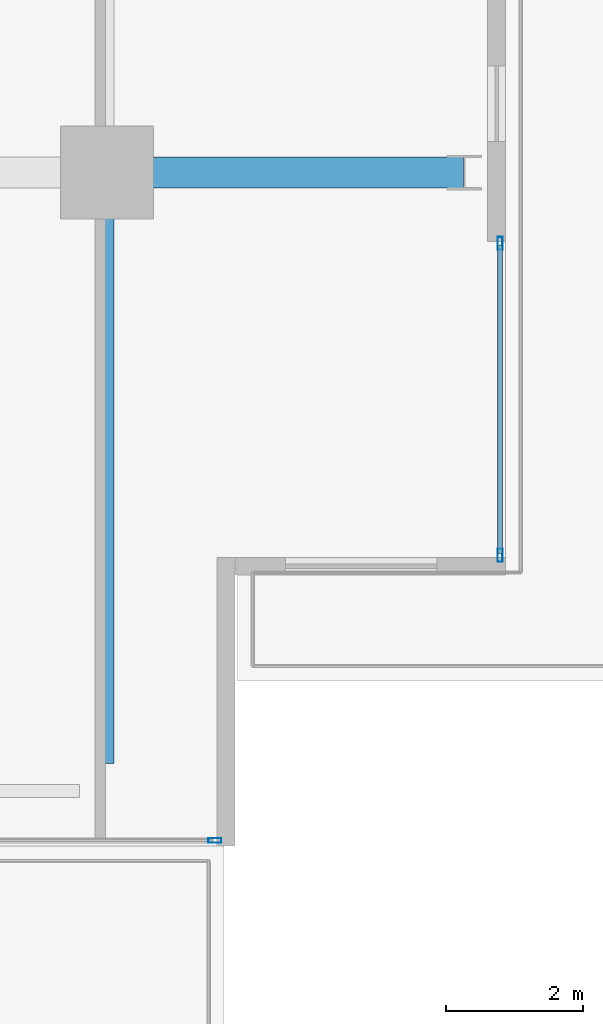
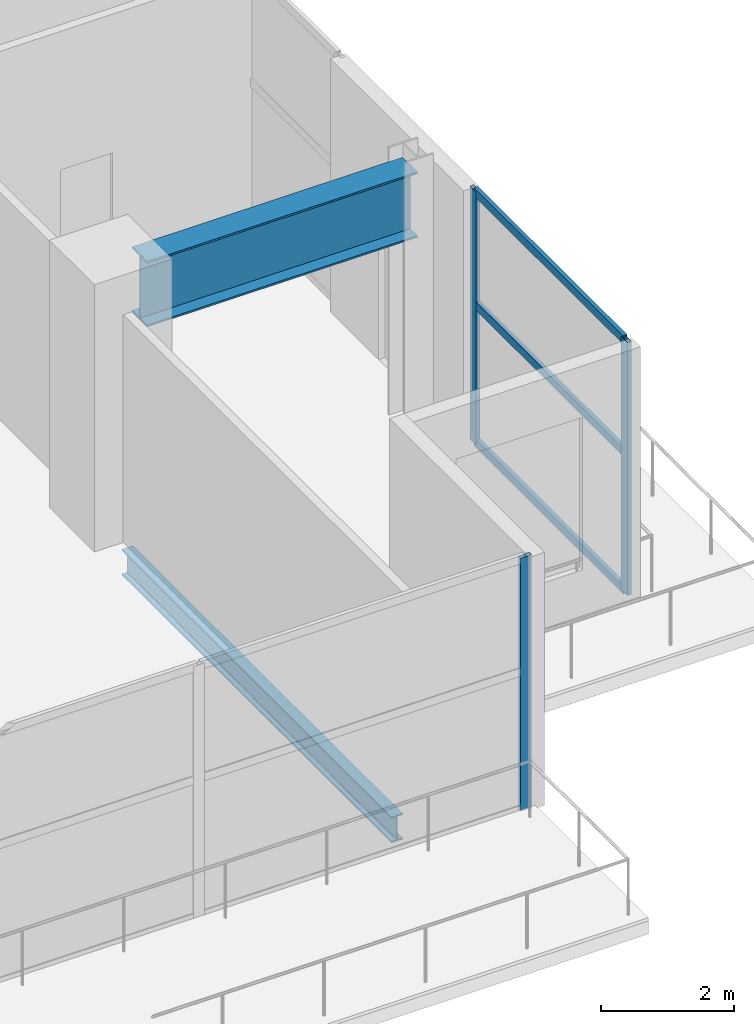
# One storey, part 10 of 22: 6 members, 2 beams, 2 elements without a shape of their own.
"""IFC4 building model written with IfcOpenShell, lengths in metres."""

import ifcopenshell
import ifcopenshell.guid

model = None  # the IFC model being written
_history = None  # IfcOwnerHistory: only IFC2X3 demands one
_inside = {}  # id of a spatial element -> (the spatial element, [elements in it])
_under = {}  # id of a project, library or spatial element -> (it, [spatial elements below it])
_declared = {}  # id of a project -> (the project, [libraries it declares])
_typed = {}  # id of a type object -> (the type object, [elements of that type])
_made_of = {}  # id of a material, layer set ... -> (it, [elements and type objects made of it])


def new_model(schema):
    """Start an empty IFC model of exactly this schema.

    Asked for "IFC4X3", IfcOpenShell would pick the latest addendum, in which some entities
    have other attributes; the version numbers below select the first issue.
    IFC2X3 requires an IfcOwnerHistory on every rooted entity: one is made here for all.
    """
    global model, _history
    if schema == "IFC4X3":
        model = ifcopenshell.file(schema_version=(4, 3, 0, 0))
    else:
        model = ifcopenshell.file(schema=schema)
    _inside.clear()
    _under.clear()
    _declared.clear()
    _typed.clear()
    _made_of.clear()
    _history = None
    if model.schema == "IFC2X3":
        org = make("IfcOrganization", Name="unknown")
        user = make(
            "IfcPersonAndOrganization",
            ThePerson=make("IfcPerson", FamilyName="unknown"),
            TheOrganization=org,
        )
        app = make(
            "IfcApplication",
            ApplicationDeveloper=org,
            Version="unknown",
            ApplicationFullName="unknown",
            ApplicationIdentifier="unknown",
        )
        _history = make(
            "IfcOwnerHistory",
            OwningUser=user,
            OwningApplication=app,
            ChangeAction="ADDED",
            CreationDate=0,
        )
    return model


def make(cls, **values):
    """One entity of the class cls with the attributes given. An attribute that is None is left unset."""
    return model.create_entity(
        cls, **{name: value for name, value in values.items() if value is not None}
    )


def rooted(cls, **values):
    """An entity with a GlobalId (a new one), such as an element, a storey or a relation."""
    return make(cls, GlobalId=ifcopenshell.guid.new(), OwnerHistory=_history, **values)


def si_unit(unit_type, name, prefix=None):
    """IfcSIUnit, for example si_unit("LENGTHUNIT", "METRE", prefix="MILLI")."""
    return make("IfcSIUnit", UnitType=unit_type, Prefix=prefix, Name=name)


def assignment(units):
    """IfcUnitAssignment: the units of a project."""
    return None if units is None else make("IfcUnitAssignment", Units=units)


def point(xyz):
    """IfcCartesianPoint."""
    return None if xyz is None else make("IfcCartesianPoint", Coordinates=xyz)


def direction(xyz):
    """IfcDirection."""
    return None if xyz is None else make("IfcDirection", DirectionRatios=xyz)


def frame(location, z_axis=None, x_axis=None):
    """IfcAxis2Placement3D, a coordinate frame: its origin and axes. An axis left out is left unset."""
    return make(
        "IfcAxis2Placement3D",
        Location=point(location),
        Axis=direction(z_axis),
        RefDirection=direction(x_axis),
    )


def frame_2d(location, x_axis=None):
    """IfcAxis2Placement2D, a coordinate frame in the plane: its origin and x axis."""
    return make(
        "IfcAxis2Placement2D", Location=point(location), RefDirection=direction(x_axis)
    )


def origin():
    """The frame at (0, 0, 0) with its axes left unset."""
    return frame((0.0, 0.0, 0.0))


def origin_2d():
    """The frame at (0, 0) in the plane with its x axis left unset."""
    return frame_2d((0.0, 0.0))


def place(relative_to, where):
    """IfcLocalPlacement: puts the frame where relative to a parent placement (None: the world)."""
    return make(
        "IfcLocalPlacement", PlacementRelTo=relative_to, RelativePlacement=where
    )


def context(
    kind, dimensions, precision=None, world=None, true_north=None, identifier=None
):
    """IfcGeometricRepresentationContext, for example the 3D "Model" context."""
    return make(
        "IfcGeometricRepresentationContext",
        ContextIdentifier=identifier,
        ContextType=kind,
        CoordinateSpaceDimension=dimensions,
        Precision=precision,
        WorldCoordinateSystem=world,
        TrueNorth=true_north,
    )


def subcontext(parent, identifier, kind, view, scale=None):
    """IfcGeometricRepresentationSubContext, for example "Body" below "Model"."""
    return make(
        "IfcGeometricRepresentationSubContext",
        ContextIdentifier=identifier,
        ContextType=kind,
        ParentContext=parent,
        TargetScale=scale,
        TargetView=view,
    )


def project(units=None, contexts=None):
    """IfcProject with its units and contexts."""
    return rooted(
        "IfcProject",
        Name="project",
        RepresentationContexts=contexts,
        UnitsInContext=assignment(units),
    )


def spatial(cls, under=None, at=None, **own):
    """A site, building, storey or space (cls), placed at a placement, below another one or the project."""
    s = rooted(cls, ObjectPlacement=at, **own)
    if under is not None:
        _under.setdefault(under.id(), (under, []))[1].append(s)
    return s


def profile(cls, at=None, kind="AREA", **sizes):
    """A parametric profile (cls). Its sizes go by their IFC names, for example OverallWidth=200.0."""
    return make(cls, ProfileType=kind, Position=at, **sizes)


def hollow_rectangle(**sizes):
    """IfcRectangleHollowProfileDef."""
    return profile("IfcRectangleHollowProfileDef", **sizes)


def i_section(**sizes):
    """IfcIShapeProfileDef."""
    return profile("IfcIShapeProfileDef", **sizes)


def extrude(swept, where, along, depth):
    """IfcExtrudedAreaSolid: the profile swept, set in the frame where, extruded along a direction by depth."""
    return make(
        "IfcExtrudedAreaSolid",
        SweptArea=swept,
        Position=where,
        ExtrudedDirection=direction(along),
        Depth=depth,
    )


def shape(context_of_items, identifier, shape_type, items):
    """IfcShapeRepresentation: the items that make up one representation, for example the "Body"."""
    return make(
        "IfcShapeRepresentation",
        ContextOfItems=context_of_items,
        RepresentationIdentifier=identifier,
        RepresentationType=shape_type,
        Items=items,
    )


def material(Name=None, Category=None):
    """IfcMaterial."""
    return make("IfcMaterial", Name=Name, Category=Category)


def layer(
    of_material, thickness, ventilated=None, Name=None, Category=None, Priority=None
):
    """IfcMaterialLayer: one layer of a wall or slab, of a material (None: an air gap)."""
    return make(
        "IfcMaterialLayer",
        Material=of_material,
        LayerThickness=thickness,
        IsVentilated=ventilated,
        Name=Name,
        Category=Category,
        Priority=Priority,
    )


def layer_set(layers, Name=None):
    """IfcMaterialLayerSet."""
    return make("IfcMaterialLayerSet", MaterialLayers=layers, LayerSetName=Name)


def material_profile(
    of_material, cross_section, Name=None, Category=None, Priority=None
):
    """IfcMaterialProfile: a cross section and its material."""
    return make(
        "IfcMaterialProfile",
        Name=Name,
        Material=of_material,
        Profile=cross_section,
        Priority=Priority,
        Category=Category,
    )


def profile_set(profiles, Name=None, composite=None):
    """IfcMaterialProfileSet."""
    return make(
        "IfcMaterialProfileSet",
        Name=Name,
        MaterialProfiles=profiles,
        CompositeProfile=composite,
    )


def made_of(thing, what):
    """Note that an element or type object is made of a material, layer set ...; save() writes the relation."""
    if what is not None:
        _made_of.setdefault(what.id(), (what, []))[1].append(thing)
    return thing


def type_object(cls, material=None, **own):
    """A type object (cls), such as IfcWallType, which elements share."""
    return made_of(rooted(cls, **own), material)


def element(
    cls,
    number,
    at=None,
    inside=None,
    cuts=None,
    type_object=None,
    material=None,
    context=None,
    identifier="Body",
    shape_type=None,
    held_by="IfcProductDefinitionShape",
    body=None,
    shapes=None,
    **own,
):
    """One element of the class cls, such as IfcWall. Its Tag is "e" and its number.

    at: its placement. inside: the storey or other place that contains it. cuts: it is an
    opening in that element (IfcRelVoidsElement). A single representation is given by context,
    identifier, shape_type and body (its items); several are given by shapes. held_by: the class
    of the entity that holds the representations. save() writes the other relations.
    """
    e = rooted(cls, Tag="e%d" % number, ObjectPlacement=at, **own)
    if body is not None:
        shapes = [shape(context, identifier, shape_type, body)]
    if shapes is not None:
        e.Representation = make(held_by, Representations=shapes)
    if inside is not None:
        _inside.setdefault(inside.id(), (inside, []))[1].append(e)
    if cuts is not None:
        rooted(
            "IfcRelVoidsElement", RelatingBuildingElement=cuts, RelatedOpeningElement=e
        )
    if type_object is not None:
        _typed.setdefault(type_object.id(), (type_object, []))[1].append(e)
    return made_of(e, material)


def aggregate(whole, parts):
    """IfcRelAggregates: a whole, such as a stair, and the parts it consists of."""
    return rooted("IfcRelAggregates", RelatingObject=whole, RelatedObjects=parts)


def save(model, path):
    """Write the relations noted so far, then the file.

    IfcRelAggregates (storeys below a building ...), IfcRelContainedInSpatialStructure (elements
    in a storey), IfcRelDefinesByType, IfcRelAssociatesMaterial and IfcRelDeclares: one each for
    every whole, place, type object, material and project.
    """
    for whole, parts in _under.values():
        aggregate(whole, parts)
    for where, things in _inside.values():
        rooted(
            "IfcRelContainedInSpatialStructure",
            RelatedElements=things,
            RelatingStructure=where,
        )
    for kind, things in _typed.values():
        rooted("IfcRelDefinesByType", RelatedObjects=things, RelatingType=kind)
    for what, things in _made_of.values():
        rooted("IfcRelAssociatesMaterial", RelatedObjects=things, RelatingMaterial=what)
    for by, libraries in _declared.values():
        rooted("IfcRelDeclares", RelatingContext=by, RelatedDefinitions=libraries)
    model.write(path)


model = new_model("IFC4")

# Units and contexts
model_context = context("Model", 3, precision=1e-05, world=origin(), true_north=direction((0.0, 1.0)))
body_context = subcontext(model_context, "Body", "Model", "MODEL_VIEW")
ifc_project = project(units=[si_unit("LENGTHUNIT", "METRE"), si_unit("AREAUNIT", "SQUARE_METRE"), si_unit("VOLUMEUNIT", "CUBIC_METRE"), si_unit("PLANEANGLEUNIT", "RADIAN"), si_unit("MASSUNIT", "GRAM", prefix="KILO")], contexts=[model_context])

# Site, building, storey
site_placement = place(None, origin())
site = spatial("IfcSite", under=ifc_project, at=site_placement, CompositionType="ELEMENT")
building_placement = place(site_placement, origin())
building = spatial("IfcBuilding", under=site, at=building_placement, Name="Maruvema Waterfront Hotel and Observation Tower", CompositionType="ELEMENT")
storey_placement = place(building_placement, frame((0.0, 0.0, 354.199951171875)))
storey = spatial("IfcBuildingStorey", under=building, at=storey_placement, Name="L87", CompositionType="ELEMENT", Elevation=354.199951171875)

# Curtain wall, members
ifc_material_1 = material(Name="Anodised bronze aluminium and solar-control low-E IGU", Category="aluminium")
ifc_layer = layer(ifc_material_1, 0.159912109375, Name="Observation Crown Structural Glazed Curtain Wall System CW-06")
ifc_layer_set = layer_set([ifc_layer], Name="Anodised bronze aluminium and solar-control low-E IGU")
curtain_wall_type = type_object("IfcCurtainWallType", Name="Observation Crown Structural Glazed Curtain Wall System CW-06", PredefinedType="USERDEFINED", material=ifc_layer_set)
curtain_wall_1_placement = place(storey_placement, origin())
curtain_wall_1 = element("IfcCurtainWall", 1, at=curtain_wall_1_placement, inside=storey, type_object=curtain_wall_type, Name="L87 Curtain Wall CW-L87-ES", ObjectType="UNITISED CURTAIN WALL", PredefinedType="USERDEFINED")
ifc_material_2 = material(Name="Anodised architectural bronze aluminium", Category="aluminium")
ifc_material_profile_1 = material_profile(ifc_material_2, hollow_rectangle(XDim=0.070068359375, YDim=0.14990234375, WallThickness=0.00390625, at=origin_2d()), Name="ALU-T70x150")
ifc_profile_set_1 = profile_set([ifc_material_profile_1], Name="Anodised architectural bronze aluminium")
member_type_1 = type_object("IfcMemberType", Name="Curtain Wall Horizontal Transom ALU-T70x150", PredefinedType="USERDEFINED", material=ifc_profile_set_1)
member_1_placement = place(storey_placement, frame((56.1201171875, 21.4599609375, 0.030029296875), z_axis=(0.0, 1.0, 0.0), x_axis=(-1.0, 0.0, 0.0)))
member_1 = element("IfcMember", 2, at=member_1_placement, type_object=member_type_1, Name="CW-06 transom 1.1", ObjectType="TRANSOM", PredefinedType="USERDEFINED", context=body_context, shape_type="SweptSolid", body=[
    extrude(hollow_rectangle(XDim=0.070068359375, YDim=0.14990234375, WallThickness=0.00390625, at=origin_2d()), origin(), (0.0, 0.0, 1.0), 4.47998046875),
])
member_2_placement = place(storey_placement, frame((56.1201171875, 21.4599609375, 2.550048828125), z_axis=(0.0, 1.0, 0.0), x_axis=(-1.0, 0.0, 0.0)))
member_2 = element("IfcMember", 3, at=member_2_placement, type_object=member_type_1, Name="CW-06 transom 1.2", ObjectType="TRANSOM", PredefinedType="USERDEFINED", context=body_context, shape_type="SweptSolid", body=[
    extrude(hollow_rectangle(XDim=0.070068359375, YDim=0.14990234375, WallThickness=0.00390625, at=origin_2d()), origin(), (0.0, 0.0, 1.0), 4.47998046875),
])
member_3_placement = place(storey_placement, frame((56.1201171875, 21.4599609375, 4.610107421875), z_axis=(0.0, 1.0, 0.0), x_axis=(-1.0, 0.0, 0.0)))
member_3 = element("IfcMember", 4, at=member_3_placement, type_object=member_type_1, Name="CW-06 transom 1.3", ObjectType="TRANSOM", PredefinedType="USERDEFINED", context=body_context, shape_type="SweptSolid", body=[
    extrude(hollow_rectangle(XDim=0.070068359375, YDim=0.14990234375, WallThickness=0.00390625, at=origin_2d()), origin(), (0.0, 0.0, 1.0), 4.47998046875),
])

# Curtain wall, member
curtain_wall_2_placement = place(storey_placement, origin())
curtain_wall_2 = element("IfcCurtainWall", 5, at=curtain_wall_2_placement, inside=storey, type_object=curtain_wall_type, Name="L87 Curtain Wall CW-L87-SE", ObjectType="UNITISED CURTAIN WALL", PredefinedType="USERDEFINED")
ifc_material_3 = material(Name="Anodised architectural bronze aluminium", Category="aluminium")
ifc_material_profile_2 = material_profile(ifc_material_3, hollow_rectangle(XDim=0.070068359375, YDim=0.18994140625, WallThickness=0.00390625, at=origin_2d()), Name="ALU-M70x190")
ifc_profile_set_2 = profile_set([ifc_material_profile_2], Name="Anodised architectural bronze aluminium")
member_type_2 = type_object("IfcMemberType", Name="Podium Storefront Heavy Mullion ALU-M70x190", PredefinedType="MULLION", material=ifc_profile_set_2)
member_4_placement = place(storey_placement, frame((51.969970703125, 17.280029296875, 0.0), z_axis=(0.0, 0.0, 1.0), x_axis=(0.0, 1.0, 0.0)))
member_4 = element("IfcMember", 6, at=member_4_placement, type_object=member_type_2, Name="CW-06 mullion 3", PredefinedType="MULLION", context=body_context, shape_type="SweptSolid", body=[
    extrude(hollow_rectangle(XDim=0.070068359375, YDim=0.18994140625, WallThickness=0.00390625, at=origin_2d()), origin(), (0.0, 0.0, 1.0), 4.64013671875),
])
aggregate(curtain_wall_2, [member_4])

# Member
member_5_placement = place(storey_placement, frame((56.1201171875, 21.429931640625, 0.0), z_axis=(0.0, 0.0, 1.0), x_axis=(-1.0, 0.0, 0.0)))
member_5 = element("IfcMember", 7, at=member_5_placement, type_object=member_type_2, Name="CW-06 mullion 1", PredefinedType="MULLION", context=body_context, shape_type="SweptSolid", body=[
    extrude(hollow_rectangle(XDim=0.070068359375, YDim=0.18994140625, WallThickness=0.00390625, at=origin_2d()), origin(), (0.0, 0.0, 1.0), 4.64013671875),
])

member_6_placement = place(storey_placement, frame((56.1201171875, 25.969970703125, 0.0), z_axis=(0.0, 0.0, 1.0), x_axis=(-1.0, 0.0, 0.0)))
member_6 = element("IfcMember", 8, at=member_6_placement, type_object=member_type_2, Name="CW-06 mullion 2", PredefinedType="MULLION", context=body_context, shape_type="SweptSolid", body=[
    extrude(hollow_rectangle(XDim=0.070068359375, YDim=0.18994140625, WallThickness=0.00390625, at=origin_2d()), origin(), (0.0, 0.0, 1.0), 4.64013671875),
])

aggregate(curtain_wall_1, [member_5, member_6, member_1, member_2, member_3])

# Beams
ifc_material_4 = material(Name="Steel ASTM A572 Grade 50", Category="steel")
ifc_material_profile_3 = material_profile(ifc_material_4, i_section(OverallWidth=0.194091796875, OverallDepth=0.468994140625, WebThickness=0.0126953125, FlangeThickness=0.0205078125, FilletRadius=0.014892578125, at=origin_2d()), Name="W460x106.0")
ifc_profile_set_3 = profile_set([ifc_material_profile_3], Name="Steel ASTM A572 Grade 50")
beam_type_1 = type_object("IfcBeamType", Name="Primary Floor Girder W460x106.0", PredefinedType="BEAM", material=ifc_profile_set_3)
beam_1_placement = place(storey_placement, frame((50.39990234375, 18.39990234375, -0.494384765625), z_axis=(0.0, 1.0, 0.0), x_axis=(-1.0, 0.0, 0.0)))
element("IfcBeam", 9, at=beam_1_placement, inside=storey, type_object=beam_type_1, Name="L87 Floor Girder NS-06", PredefinedType="BEAM", context=body_context, shape_type="SweptSolid", body=[
    extrude(i_section(OverallWidth=0.194091796875, OverallDepth=0.468994140625, WebThickness=0.0126953125, FlangeThickness=0.0205078125, FilletRadius=0.014892578125, at=origin_2d()), origin(), (0.0, 0.0, 1.0), 8.10009765625),
])
ifc_material_5 = material(Name="Steel ABNT NBR 7007 AR 415 (ASTM A572 Grade 50)", Category="steel")
ifc_material_profile_4 = material_profile(ifc_material_5, i_section(OverallWidth=0.449951171875, OverallDepth=1.199951171875, WebThickness=0.01904296875, FlangeThickness=0.031982421875, at=origin_2d()), Name="VS1200x366")
ifc_profile_set_4 = profile_set([ifc_material_profile_4], Name="Steel ABNT NBR 7007 AR 415 (ASTM A572 Grade 50)")
beam_type_2 = type_object("IfcBeamType", Name="Upper Setback Transfer Girder VS1200x366", PredefinedType="USERDEFINED", material=ifc_profile_set_4)
beam_2_placement = place(storey_placement, frame((50.89990234375, 27.0, 4.0400390625), z_axis=(1.0, 0.0, 0.0), x_axis=(0.0, 1.0, 0.0)))
element("IfcBeam", 10, at=beam_2_placement, inside=storey, type_object=beam_type_2, Name="L87 Upper Setback Transfer Girder E Y=27.0m", ObjectType="TRANSFER GIRDER", PredefinedType="USERDEFINED", context=body_context, shape_type="SweptSolid", body=[
    extrude(i_section(OverallWidth=0.449951171875, OverallDepth=1.199951171875, WebThickness=0.01904296875, FlangeThickness=0.031982421875, at=origin_2d()), origin(), (0.0, 0.0, 1.0), 4.689208984375),
])

save(model, "model.ifc")
